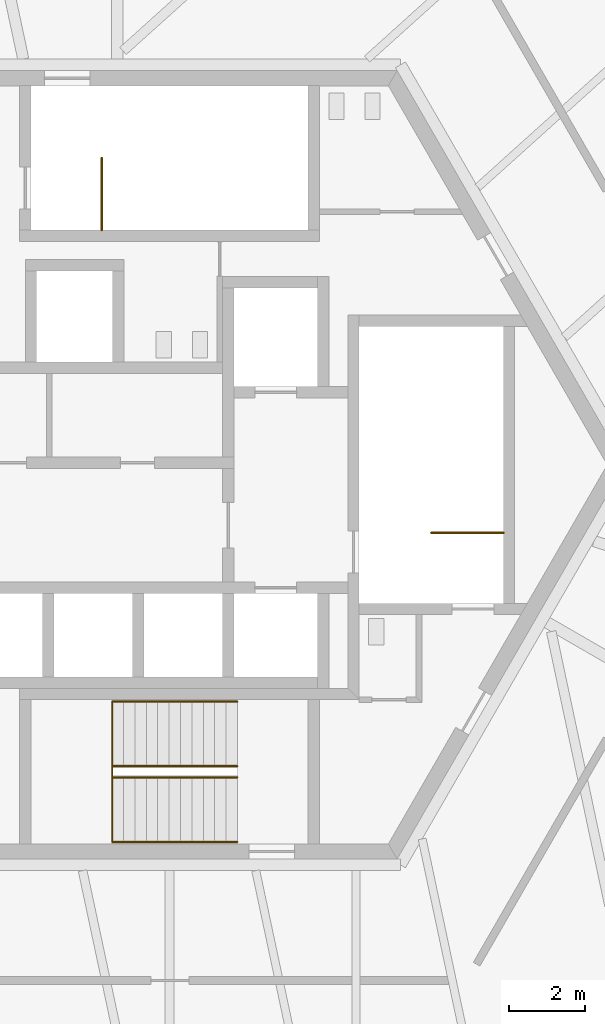
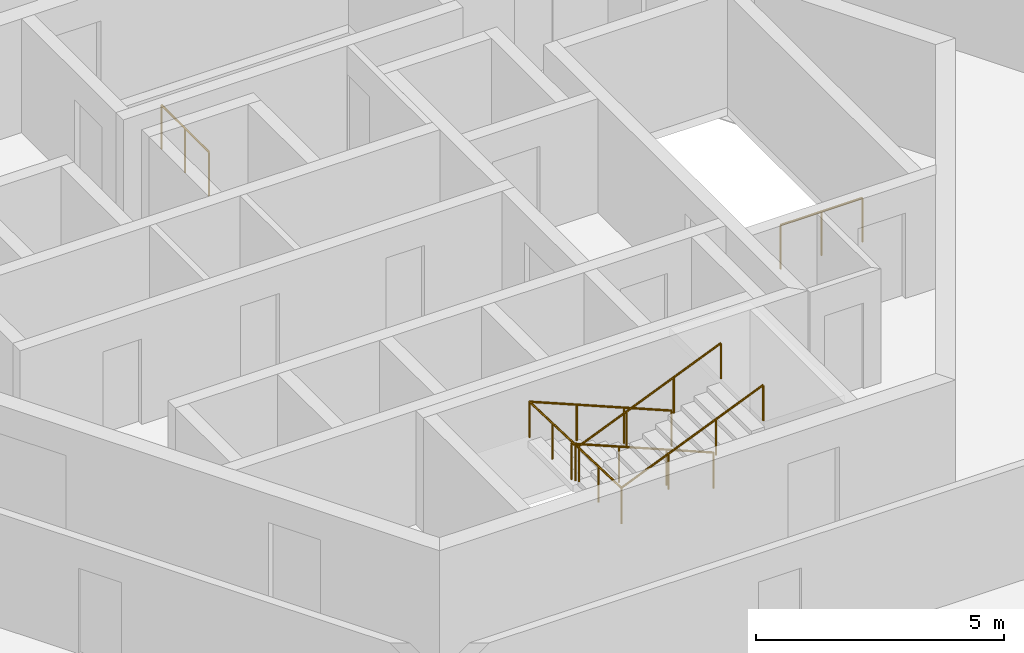
# One storey, part 10 of 11: 4 railings.
"""IFC4 building model written with IfcOpenShell, lengths in metres."""

from ifc_helpers import new_model, si_unit, direction, frame, origin, origin_2d, place, context, subcontext, project, spatial, circle, extrude, material, type_object, element, save


model = new_model("IFC4")

# Units and contexts
model_context = context("Model", 3, precision=1e-05, world=origin(), true_north=direction((0.0, 1.0)))
body_context = subcontext(model_context, "Body", "Model", "MODEL_VIEW")
ifc_project = project(units=[si_unit("LENGTHUNIT", "METRE"), si_unit("AREAUNIT", "SQUARE_METRE"), si_unit("VOLUMEUNIT", "CUBIC_METRE"), si_unit("PLANEANGLEUNIT", "RADIAN"), si_unit("MASSUNIT", "GRAM", prefix="KILO")], contexts=[model_context])

# Site, building, storey
site_placement = place(None, origin())
site = spatial("IfcSite", under=ifc_project, at=site_placement, CompositionType="ELEMENT")
building_placement = place(site_placement, origin())
building = spatial("IfcBuilding", under=site, at=building_placement, Name="Triune Harvest Tower", CompositionType="ELEMENT")
storey_placement = place(building_placement, frame((0.0, 0.0, 296.699951171875)))
storey = spatial("IfcBuildingStorey", under=building, at=storey_placement, Name="L78", CompositionType="ELEMENT", Elevation=296.699951171875)

# Railings
ifc_material_1 = material(Name="Stainless steel AISI 316", Category="steel")
railing_type_1 = type_object("IfcRailingType", Name="Stair handrail", PredefinedType="HANDRAIL", material=ifc_material_1)
railing_1_placement = place(storey_placement, frame((1.7900390625, -6.239990234375, 0.125)))
element("IfcRailing", 1, at=railing_1_placement, inside=storey, type_object=railing_type_1, Name="Exit stair south wall handrail", PredefinedType="HANDRAIL", context=body_context, shape_type="SweptSolid", body=[
    extrude(circle(Radius=0.02392578125, at=origin_2d()), frame((0.0, 0.0, 0.8759765625), z_axis=(-0.923078943485, 0.0, 0.3846105356), x_axis=(0.0, -1.0, 0.0)), (0.0, 0.0, 1.0), 3.574951171875),
    extrude(circle(Radius=0.02392578125, at=origin_2d()), frame((-3.300048828125, 0.0, 2.2509765625), z_axis=(0.0, -0.999429800976, 0.033764965892), x_axis=(1.0, 0.0, 0.0)), (0.0, 0.0, 1.0), 3.7021484375),
    extrude(circle(Radius=0.02392578125, at=origin_2d()), frame((-3.300048828125, -3.699951171875, 2.3759765625), z_axis=(0.923078943485, 0.0, 0.3846105356), x_axis=(0.0, 1.0, 0.0)), (0.0, 0.0, 1.0), 3.574951171875),
    extrude(circle(Radius=0.02099609375, at=origin_2d()), origin(), (0.0, 0.0, 1.0), 0.851806640625),
    extrude(circle(Radius=0.02099609375, at=origin_2d()), frame((-1.10009765625, 0.0, 0.458251953125)), (0.0, 0.0, 1.0), 0.851806640625),
    extrude(circle(Radius=0.02099609375, at=origin_2d()), frame((-2.199951171875, 0.0, 0.916748046875)), (0.0, 0.0, 1.0), 0.851806640625),
    extrude(circle(Radius=0.02099609375, at=origin_2d()), frame((-3.300048828125, 0.0, 1.375)), (0.0, 0.0, 1.0), 0.851806640625),
    extrude(circle(Radius=0.02099609375, at=origin_2d()), frame((-3.300048828125, -0.925048828125, 1.40625)), (0.0, 0.0, 1.0), 0.851806640625),
    extrude(circle(Radius=0.02099609375, at=origin_2d()), frame((-3.300048828125, -1.85009765625, 1.4375)), (0.0, 0.0, 1.0), 0.851806640625),
    extrude(circle(Radius=0.02099609375, at=origin_2d()), frame((-3.300048828125, -2.77490234375, 1.46875)), (0.0, 0.0, 1.0), 0.851806640625),
    extrude(circle(Radius=0.02099609375, at=origin_2d()), frame((-3.300048828125, -3.699951171875, 1.5)), (0.0, 0.0, 1.0), 0.851806640625),
    extrude(circle(Radius=0.02099609375, at=origin_2d()), frame((-2.199951171875, -3.699951171875, 1.958251953125)), (0.0, 0.0, 1.0), 0.851806640625),
    extrude(circle(Radius=0.02099609375, at=origin_2d()), frame((-1.10009765625, -3.699951171875, 2.416748046875)), (0.0, 0.0, 1.0), 0.851806640625),
    extrude(circle(Radius=0.02099609375, at=origin_2d()), frame((0.0, -3.699951171875, 2.875)), (0.0, 0.0, 1.0), 0.851806640625),
])
railing_2_placement = place(storey_placement, frame((1.7900390625, -7.93994140625, 0.125)))
element("IfcRailing", 2, at=railing_2_placement, inside=storey, type_object=railing_type_1, Name="Exit stair south centre handrail", PredefinedType="HANDRAIL", context=body_context, shape_type="SweptSolid", body=[
    extrude(circle(Radius=0.02392578125, at=origin_2d()), frame((0.0, 0.0, 0.8759765625), z_axis=(-0.923078943485, 0.0, 0.3846105356), x_axis=(0.0, -1.0, 0.0)), (0.0, 0.0, 1.0), 3.574951171875),
    extrude(circle(Radius=0.02392578125, at=origin_2d()), frame((-3.300048828125, 0.0, 2.2509765625), z_axis=(0.0, -0.923099143363, 0.384562051588), x_axis=(1.0, 0.0, 0.0)), (0.0, 0.0, 1.0), 0.324951171875),
    extrude(circle(Radius=0.02392578125, at=origin_2d()), frame((-3.300048828125, -0.300048828125, 2.3759765625), z_axis=(0.923078943485, 0.0, 0.3846105356), x_axis=(0.0, 1.0, 0.0)), (0.0, 0.0, 1.0), 3.574951171875),
    extrude(circle(Radius=0.02099609375, at=origin_2d()), origin(), (0.0, 0.0, 1.0), 0.851806640625),
    extrude(circle(Radius=0.02099609375, at=origin_2d()), frame((-1.10009765625, 0.0, 0.458251953125)), (0.0, 0.0, 1.0), 0.851806640625),
    extrude(circle(Radius=0.02099609375, at=origin_2d()), frame((-2.199951171875, 0.0, 0.916748046875)), (0.0, 0.0, 1.0), 0.851806640625),
    extrude(circle(Radius=0.02099609375, at=origin_2d()), frame((-3.300048828125, 0.0, 1.375)), (0.0, 0.0, 1.0), 0.851806640625),
    extrude(circle(Radius=0.02099609375, at=origin_2d()), frame((-3.300048828125, -0.300048828125, 1.5)), (0.0, 0.0, 1.0), 0.851806640625),
    extrude(circle(Radius=0.02099609375, at=origin_2d()), frame((-2.199951171875, -0.300048828125, 1.958251953125)), (0.0, 0.0, 1.0), 0.851806640625),
    extrude(circle(Radius=0.02099609375, at=origin_2d()), frame((-1.10009765625, -0.300048828125, 2.416748046875)), (0.0, 0.0, 1.0), 0.851806640625),
    extrude(circle(Radius=0.02099609375, at=origin_2d()), frame((0.0, -0.300048828125, 2.875)), (0.0, 0.0, 1.0), 0.851806640625),
])
ifc_material_2 = material(Name="Stainless steel AISI 316", Category="steel")
railing_type_2 = type_object("IfcRailingType", Name="Stair well guard 1100", PredefinedType="GUARDRAIL", material=ifc_material_2)
railing_3_placement = place(storey_placement, frame((-1.7900390625, 6.18994140625, 0.0)))
element("IfcRailing", 3, at=railing_3_placement, inside=storey, type_object=railing_type_2, Name="Exit stair north well guard", PredefinedType="GUARDRAIL", context=body_context, shape_type="SweptSolid", body=[
    extrude(circle(Radius=0.02392578125, at=origin_2d()), frame((0.0, 0.0, 1.076171875), z_axis=(0.0, 1.0, 0.0), x_axis=(-1.0, 0.0, 0.0)), (0.0, 0.0, 1.0), 1.900146484375),
    extrude(circle(Radius=0.02099609375, at=origin_2d()), origin(), (0.0, 0.0, 1.0), 1.052001953125),
    extrude(circle(Radius=0.02099609375, at=origin_2d()), frame((0.0, 0.9501953125, 0.0)), (0.0, 0.0, 1.0), 1.052001953125),
    extrude(circle(Radius=0.02099609375, at=origin_2d()), frame((0.0, 1.900146484375, 0.0)), (0.0, 0.0, 1.0), 1.052001953125),
])
railing_4_placement = place(storey_placement, frame((8.800048828125, -1.7900390625, 0.0)))
element("IfcRailing", 4, at=railing_4_placement, inside=storey, type_object=railing_type_2, Name="Exit stair east well guard", PredefinedType="GUARDRAIL", context=body_context, shape_type="SweptSolid", body=[
    extrude(circle(Radius=0.02392578125, at=origin_2d()), frame((0.0, 0.0, 1.076171875), z_axis=(-1.0, 0.0, 0.0), x_axis=(0.0, -1.0, 0.0)), (0.0, 0.0, 1.0), 1.900146484375),
    extrude(circle(Radius=0.02099609375, at=origin_2d()), origin(), (0.0, 0.0, 1.0), 1.052001953125),
    extrude(circle(Radius=0.02099609375, at=origin_2d()), frame((-0.9501953125, 0.0, 0.0)), (0.0, 0.0, 1.0), 1.052001953125),
    extrude(circle(Radius=0.02099609375, at=origin_2d()), frame((-1.900146484375, 0.0, 0.0)), (0.0, 0.0, 1.0), 1.052001953125),
])

save(model, "model.ifc")
